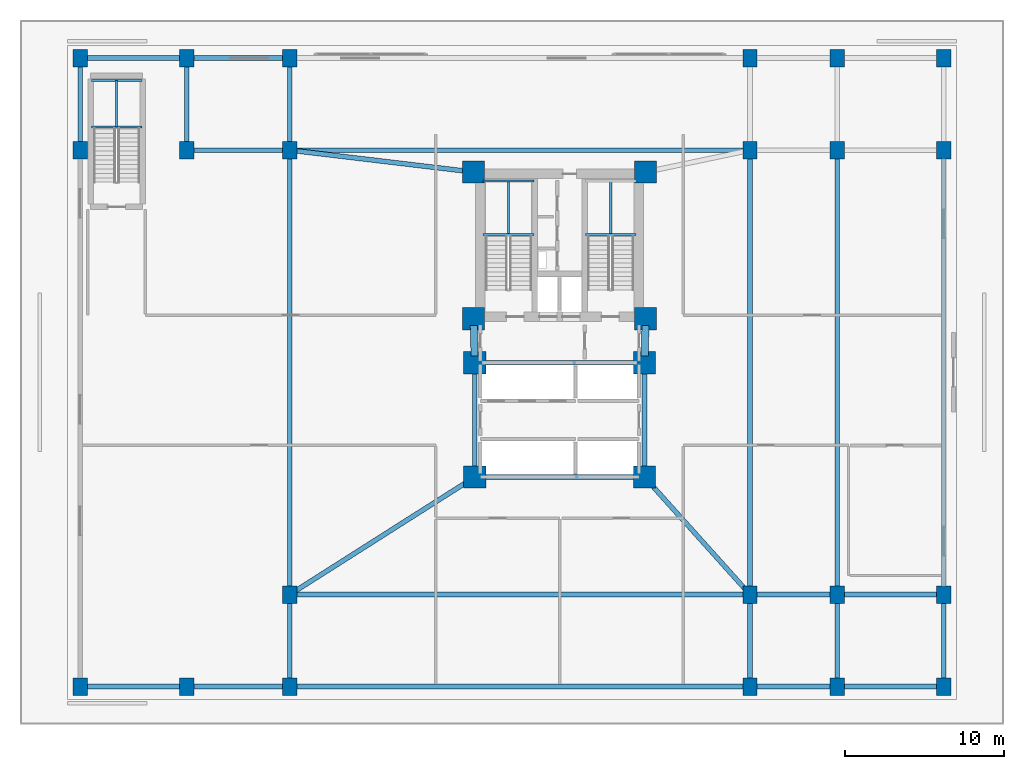
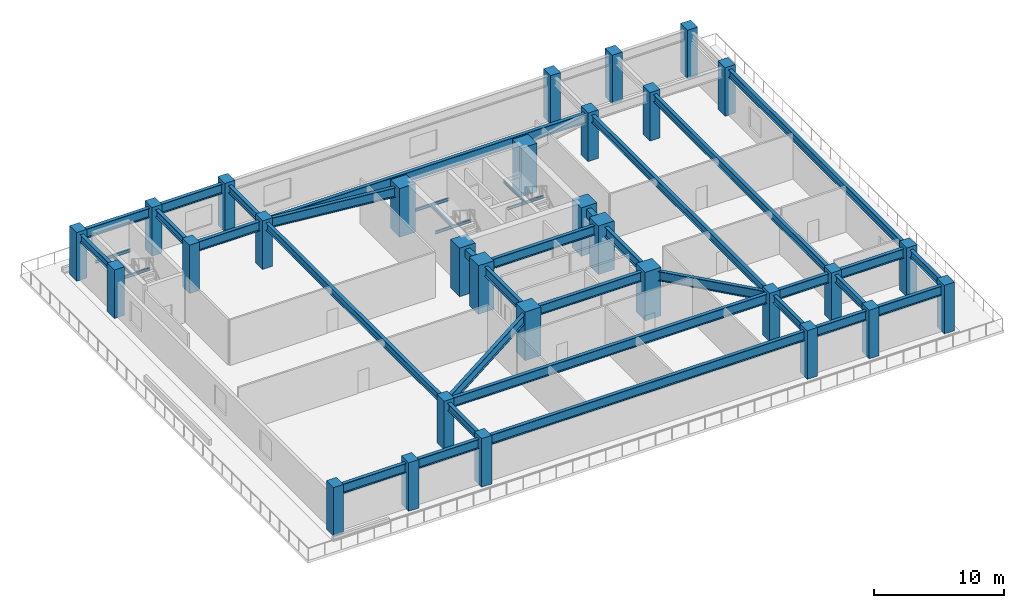
# One storey, part 1 of 9: 40 beams, 30 columns.
"""IFC4 building model written with IfcOpenShell, lengths in metres."""

from ifc_helpers import new_model, si_unit, direction, frame, origin, origin_2d, place, context, subcontext, project, spatial, rectangle, i_section, extrude, material, material_profile, profile_set, type_object, element, save


model = new_model("IFC4")

# Units and contexts
model_context = context("Model", 3, precision=1e-05, world=origin(), true_north=direction((0.0, 1.0)))
body_context = subcontext(model_context, "Body", "Model", "MODEL_VIEW")
ifc_project = project(units=[si_unit("LENGTHUNIT", "METRE"), si_unit("AREAUNIT", "SQUARE_METRE"), si_unit("VOLUMEUNIT", "CUBIC_METRE"), si_unit("PLANEANGLEUNIT", "RADIAN"), si_unit("MASSUNIT", "GRAM", prefix="KILO")], contexts=[model_context])

# Site, building, storey
site_placement = place(None, origin())
site = spatial("IfcSite", under=ifc_project, at=site_placement, CompositionType="ELEMENT")
building_placement = place(site_placement, origin())
building = spatial("IfcBuilding", under=site, at=building_placement, Name="Varnakorn Sky Granary", CompositionType="ELEMENT")
storey_placement = place(building_placement, frame((0.0, 0.0, 18.39990234375)))
storey = spatial("IfcBuildingStorey", under=building, at=storey_placement, Name="L04", CompositionType="ELEMENT", Elevation=18.39990234375)

# Columns
ifc_material_1 = material(Name="Concrete C60/75", Category="concrete")
ifc_material_profile_1 = material_profile(ifc_material_1, rectangle(XDim=1.39990234375, YDim=1.39990234375, at=origin_2d()), Name="RC 1400x1400")
ifc_profile_set_1 = profile_set([ifc_material_profile_1], Name="Concrete C60/75")
column_type_1 = type_object("IfcColumnType", Name="COL-MC-Z0", PredefinedType="COLUMN", material=ifc_profile_set_1)
for number, where, z_axis, x_axis, name in (
    (1, (-2.419921875, 12.6201171875, 0.0), (0.0, 0.0, 1.0), (1.0, 0.0, 0.0), "Backbone Mega-Column MC1 L04"),
    (2, (8.419921875, 12.6201171875, 0.0), (0.0, 0.0, 1.0), (1.0, 0.0, 0.0), "Backbone Mega-Column MC2 L04"),
    (3, (-2.419921875, 3.3798828125, 0.0), (0.0, 0.0, 1.0), (1.0, 0.0, 0.0), "Backbone Mega-Column MC3 L04"),
    (4, (8.419921875, 3.3798828125, 0.0), (0.0, 0.0, 1.0), (1.0, 0.0, 0.0), "Backbone Mega-Column MC4 L04"),
    (5, (-2.35009765625, 0.60009765625, 0.0), (0.0, 0.0, 1.0), (1.0, 0.0, 0.0), "Backbone Mega-Column MC5 L04"),
    (6, (8.35009765625, 0.60009765625, 0.0), (0.0, 0.0, 1.0), (1.0, 0.0, 0.0), "Backbone Mega-Column MC6 L04"),
    (7, (-2.35009765625, -6.60009765625, 0.0), (0.0, 0.0, 1.0), (1.0, 0.0, 0.0), "Backbone Mega-Column MC7 L04"),
    (8, (8.35009765625, -6.60009765625, 0.0), (0.0, 0.0, 1.0), (1.0, 0.0, 0.0), "Backbone Mega-Column MC8 L04"),
):
    element("IfcColumn", number, at=place(storey_placement, frame(where, z_axis=z_axis, x_axis=x_axis)), inside=storey, type_object=column_type_1, Name=name, PredefinedType="COLUMN", context=body_context, shape_type="SweptSolid", body=[
        extrude(rectangle(XDim=1.39990234375, YDim=1.39990234375, at=origin_2d()), origin(), (0.0, 0.0, 1.0), 4.5751953125),
    ])
ifc_material_profile_2 = material_profile(ifc_material_1, rectangle(XDim=0.89990234375, YDim=1.10009765625, at=origin_2d()), Name="RC 900x1100")
ifc_profile_set_2 = profile_set([ifc_material_profile_2], Name="Concrete C60/75")
column_type_2 = type_object("IfcColumnType", Name="COL-POD-1100", PredefinedType="COLUMN", material=ifc_profile_set_2)
for number, where, z_axis, x_axis, name in (
    (9, (-27.199951171875, -19.800048828125, 0.0), (0.0, 0.0, 1.0), (1.0, 0.0, 0.0), "Podium Column P11 L04"),
    (10, (-27.199951171875, 14.0, 0.0), (0.0, 0.0, 1.0), (1.0, 0.0, 0.0), "Podium Column P13 L04"),
    (11, (-27.199951171875, 19.800048828125, 0.0), (0.0, 0.0, 1.0), (1.0, 0.0, 0.0), "Podium Column P14 L04"),
    (12, (-20.5, -19.800048828125, 0.0), (0.0, 0.0, 1.0), (1.0, 0.0, 0.0), "Podium Column P21 L04"),
    (13, (-20.5, 14.0, 0.0), (0.0, 0.0, 1.0), (1.0, 0.0, 0.0), "Podium Column P23 L04"),
    (14, (-20.5, 19.800048828125, 0.0), (0.0, 0.0, 1.0), (1.0, 0.0, 0.0), "Podium Column P24 L04"),
    (15, (-14.0, -19.800048828125, 0.0), (0.0, 0.0, 1.0), (1.0, 0.0, 0.0), "Podium Column P31 L04"),
    (16, (-14.0, -14.0, 0.0), (0.0, 0.0, 1.0), (1.0, 0.0, 0.0), "Podium Column P32 L04"),
    (17, (-14.0, 14.0, 0.0), (0.0, 0.0, 1.0), (1.0, 0.0, 0.0), "Podium Column P33 L04"),
    (18, (-14.0, 19.800048828125, 0.0), (0.0, 0.0, 1.0), (1.0, 0.0, 0.0), "Podium Column P34 L04"),
    (19, (15.0, -19.800048828125, 0.0), (0.0, 0.0, 1.0), (1.0, 0.0, 0.0), "Podium Column P41 L04"),
    (20, (15.0, -14.0, 0.0), (0.0, 0.0, 1.0), (1.0, 0.0, 0.0), "Podium Column P42 L04"),
    (21, (15.0, 14.0, 0.0), (0.0, 0.0, 1.0), (1.0, 0.0, 0.0), "Podium Column P43 L04"),
    (22, (15.0, 19.800048828125, 0.0), (0.0, 0.0, 1.0), (1.0, 0.0, 0.0), "Podium Column P44 L04"),
    (23, (20.5, -19.800048828125, 0.0), (0.0, 0.0, 1.0), (1.0, 0.0, 0.0), "Podium Column P51 L04"),
    (24, (20.5, -14.0, 0.0), (0.0, 0.0, 1.0), (1.0, 0.0, 0.0), "Podium Column P52 L04"),
    (25, (20.5, 14.0, 0.0), (0.0, 0.0, 1.0), (1.0, 0.0, 0.0), "Podium Column P53 L04"),
    (26, (20.5, 19.800048828125, 0.0), (0.0, 0.0, 1.0), (1.0, 0.0, 0.0), "Podium Column P54 L04"),
    (27, (27.199951171875, -19.800048828125, 0.0), (0.0, 0.0, 1.0), (1.0, 0.0, 0.0), "Podium Column P61 L04"),
    (28, (27.199951171875, -14.0, 0.0), (0.0, 0.0, 1.0), (1.0, 0.0, 0.0), "Podium Column P62 L04"),
    (29, (27.199951171875, 14.0, 0.0), (0.0, 0.0, 1.0), (1.0, 0.0, 0.0), "Podium Column P63 L04"),
    (30, (27.199951171875, 19.800048828125, 0.0), (0.0, 0.0, 1.0), (1.0, 0.0, 0.0), "Podium Column P64 L04"),
):
    element("IfcColumn", number, at=place(storey_placement, frame(where, z_axis=z_axis, x_axis=x_axis)), inside=storey, type_object=column_type_2, Name=name, PredefinedType="COLUMN", context=body_context, shape_type="SweptSolid", body=[
        extrude(rectangle(XDim=0.89990234375, YDim=1.10009765625, at=origin_2d()), origin(), (0.0, 0.0, 1.0), 4.5751953125),
    ])

# Beams
ifc_material_profile_3 = material_profile(ifc_material_1, rectangle(XDim=0.449951171875, YDim=0.75, at=origin_2d()), Name="RC 450x750")
ifc_profile_set_3 = profile_set([ifc_material_profile_3], Name="Concrete C60/75")
beam_type_1 = type_object("IfcBeamType", Name="BM-LIN-750", PredefinedType="LINTEL", material=ifc_profile_set_3)
for number, where, z_axis, x_axis, name in (
    (31, (-2.409423828125, 2.960205078125, 3.905029296875), (0.025158763514, -0.999683468213, 0.0), (0.999683468213, 0.025158763514, 0.0), "Core Spine Beam 1 L04"),
    (32, (8.409423828125, 2.960205078125, 3.905029296875), (-0.025158763514, -0.999683468213, 0.0), (0.999683468213, -0.025158763514, 0.0), "Core Spine Beam 2 L04"),
):
    element("IfcBeam", number, at=place(storey_placement, frame(where, z_axis=z_axis, x_axis=x_axis)), inside=storey, type_object=beam_type_1, Name=name, PredefinedType="LINTEL", context=body_context, shape_type="SweptSolid", body=[
        extrude(rectangle(XDim=0.449951171875, YDim=0.75, at=origin_2d()), origin(), (0.0, 0.0, 1.0), 1.94091796875),
    ])
ifc_material_2 = material(Name="Steel S355JR", Category="steel")
ifc_material_profile_4 = material_profile(ifc_material_2, i_section(OverallWidth=0.135009765625, OverallDepth=0.27001953125, WebThickness=0.006591796875, FlangeThickness=0.01025390625, at=origin_2d()), Name="IPE 270")
ifc_profile_set_4 = profile_set([ifc_material_profile_4], Name="Steel S355JR")
beam_type_2 = type_object("IfcBeamType", Name="BM-LND-270", PredefinedType="BEAM", material=ifc_profile_set_4)
for number, where, z_axis, x_axis, name in (
    (33, (-1.820068359375, 8.679931640625, 1.965087890625), (1.0, 0.0, 0.0), (0.0, 1.0, 0.0), "Stair ST-1 Landing Trimmer Beam A L04-1"),
    (34, (-1.820068359375, 12.06005859375, 1.965087890625), (1.0, 0.0, 0.0), (0.0, 1.0, 0.0), "Stair ST-1 Landing Trimmer Beam B L04-1"),
):
    element("IfcBeam", number, at=place(storey_placement, frame(where, z_axis=z_axis, x_axis=x_axis)), inside=storey, type_object=beam_type_2, Name=name, PredefinedType="BEAM", context=body_context, shape_type="SweptSolid", body=[
        extrude(i_section(OverallWidth=0.135009765625, OverallDepth=0.27001953125, WebThickness=0.006591796875, FlangeThickness=0.01025390625, at=origin_2d()), origin(), (0.0, 0.0, 1.0), 3.199951171875),
    ])
beam_1_placement = place(storey_placement, frame((-0.219970703125, 8.679931640625, 1.965087890625), z_axis=(0.0, 1.0, 0.0), x_axis=(-1.0, 0.0, 0.0)))
element("IfcBeam", 35, at=beam_1_placement, inside=storey, type_object=beam_type_2, Name="Stair ST-1 Landing Cross Beam C L04-1", PredefinedType="BEAM", context=body_context, shape_type="SweptSolid", body=[
    extrude(i_section(OverallWidth=0.135009765625, OverallDepth=0.27001953125, WebThickness=0.006591796875, FlangeThickness=0.01025390625, at=origin_2d()), origin(), (0.0, 0.0, 1.0), 3.380126953125),
])
beam_2_placement = place(storey_placement, frame((4.6201171875, 8.679931640625, 1.965087890625), z_axis=(1.0, 0.0, 0.0), x_axis=(0.0, 1.0, 0.0)))
element("IfcBeam", 36, at=beam_2_placement, inside=storey, type_object=beam_type_2, Name="Stair ST-2 Landing Trimmer Beam A L04-1", PredefinedType="BEAM", context=body_context, shape_type="SweptSolid", body=[
    extrude(i_section(OverallWidth=0.135009765625, OverallDepth=0.27001953125, WebThickness=0.006591796875, FlangeThickness=0.01025390625, at=origin_2d()), origin(), (0.0, 0.0, 1.0), 3.199951171875),
])
beam_3_placement = place(storey_placement, frame((6.219970703125, 8.679931640625, 1.965087890625), z_axis=(0.0, 1.0, 0.0), x_axis=(-1.0, 0.0, 0.0)))
element("IfcBeam", 37, at=beam_3_placement, inside=storey, type_object=beam_type_2, Name="Stair ST-2 Landing Cross Beam C L04-1", PredefinedType="BEAM", context=body_context, shape_type="SweptSolid", body=[
    extrude(i_section(OverallWidth=0.135009765625, OverallDepth=0.27001953125, WebThickness=0.006591796875, FlangeThickness=0.01025390625, at=origin_2d()), origin(), (0.0, 0.0, 1.0), 3.380126953125),
])
for number, where, z_axis, x_axis, name in (
    (38, (-26.5, 15.4599609375, 1.965087890625), (1.0, 0.0, 0.0), (0.0, 1.0, 0.0), "Stair ST-B3 Landing Trimmer Beam A L04-1"),
    (39, (-26.5, 18.3798828125, 1.965087890625), (1.0, 0.0, 0.0), (0.0, 1.0, 0.0), "Stair ST-B3 Landing Trimmer Beam B L04-1"),
):
    element("IfcBeam", number, at=place(storey_placement, frame(where, z_axis=z_axis, x_axis=x_axis)), inside=storey, type_object=beam_type_2, Name=name, PredefinedType="BEAM", context=body_context, shape_type="SweptSolid", body=[
        extrude(i_section(OverallWidth=0.135009765625, OverallDepth=0.27001953125, WebThickness=0.006591796875, FlangeThickness=0.01025390625, at=origin_2d()), origin(), (0.0, 0.0, 1.0), 3.179931640625),
    ])
beam_4_placement = place(storey_placement, frame((-24.909912109375, 15.4599609375, 1.965087890625), z_axis=(0.0, 1.0, 0.0), x_axis=(-1.0, 0.0, 0.0)))
element("IfcBeam", 40, at=beam_4_placement, inside=storey, type_object=beam_type_2, Name="Stair ST-B3 Landing Cross Beam C L04-1", PredefinedType="BEAM", context=body_context, shape_type="SweptSolid", body=[
    extrude(i_section(OverallWidth=0.135009765625, OverallDepth=0.27001953125, WebThickness=0.006591796875, FlangeThickness=0.01025390625, at=origin_2d()), origin(), (0.0, 0.0, 1.0), 2.919921875),
])
ifc_material_profile_5 = material_profile(ifc_material_2, i_section(OverallWidth=0.300048828125, OverallDepth=0.699951171875, WebThickness=0.01708984375, FlangeThickness=0.031982421875, at=origin_2d()), Name="HE 700 B")
ifc_profile_set_5 = profile_set([ifc_material_profile_5], Name="Steel S355JR")
beam_type_3 = type_object("IfcBeamType", Name="BM-PG-700", PredefinedType="T_BEAM", material=ifc_profile_set_5)
for number, where, z_axis, x_axis, name in (
    (41, (-27.199951171875, 14.419921875, 3.93017578125), (0.0, 1.0, 0.0), (-1.0, 0.0, 0.0), "Podium Y-Girder GY18 L04"),
    (42, (-20.5, 14.419921875, 3.93017578125), (0.0, 1.0, 0.0), (-1.0, 0.0, 0.0), "Podium Y-Girder GY19 L04"),
    (43, (-14.0, -19.3798828125, 3.93017578125), (0.0, 1.0, 0.0), (-1.0, 0.0, 0.0), "Podium Y-Girder GY20 L04"),
):
    element("IfcBeam", number, at=place(storey_placement, frame(where, z_axis=z_axis, x_axis=x_axis)), inside=storey, type_object=beam_type_3, Name=name, PredefinedType="T_BEAM", context=body_context, shape_type="SweptSolid", body=[
        extrude(i_section(OverallWidth=0.300048828125, OverallDepth=0.699951171875, WebThickness=0.01708984375, FlangeThickness=0.031982421875, at=origin_2d()), origin(), (0.0, 0.0, 1.0), 4.9599609375),
    ])
beam_5_placement = place(storey_placement, frame((-14.0, -13.580078125, 3.93017578125), z_axis=(0.0, 1.0, 0.0), x_axis=(-1.0, 0.0, 0.0)))
element("IfcBeam", 44, at=beam_5_placement, inside=storey, type_object=beam_type_3, Name="Podium Y-Girder GY21 L04", PredefinedType="T_BEAM", context=body_context, shape_type="SweptSolid", body=[
    extrude(i_section(OverallWidth=0.300048828125, OverallDepth=0.699951171875, WebThickness=0.01708984375, FlangeThickness=0.031982421875, at=origin_2d()), origin(), (0.0, 0.0, 1.0), 27.16015625),
])
for number, where, z_axis, x_axis, name in (
    (45, (-14.0, 14.419921875, 3.93017578125), (0.0, 1.0, 0.0), (-1.0, 0.0, 0.0), "Podium Y-Girder GY22 L04"),
    (46, (15.0, -19.3798828125, 3.93017578125), (0.0, 1.0, 0.0), (-1.0, 0.0, 0.0), "Podium Y-Girder GY23 L04"),
):
    element("IfcBeam", number, at=place(storey_placement, frame(where, z_axis=z_axis, x_axis=x_axis)), inside=storey, type_object=beam_type_3, Name=name, PredefinedType="T_BEAM", context=body_context, shape_type="SweptSolid", body=[
        extrude(i_section(OverallWidth=0.300048828125, OverallDepth=0.699951171875, WebThickness=0.01708984375, FlangeThickness=0.031982421875, at=origin_2d()), origin(), (0.0, 0.0, 1.0), 4.9599609375),
    ])
beam_6_placement = place(storey_placement, frame((15.0, -13.580078125, 3.93017578125), z_axis=(0.0, 1.0, 0.0), x_axis=(-1.0, 0.0, 0.0)))
element("IfcBeam", 47, at=beam_6_placement, inside=storey, type_object=beam_type_3, Name="Podium Y-Girder GY24 L04", PredefinedType="T_BEAM", context=body_context, shape_type="SweptSolid", body=[
    extrude(i_section(OverallWidth=0.300048828125, OverallDepth=0.699951171875, WebThickness=0.01708984375, FlangeThickness=0.031982421875, at=origin_2d()), origin(), (0.0, 0.0, 1.0), 27.16015625),
])
beam_7_placement = place(storey_placement, frame((20.5, -19.3798828125, 3.93017578125), z_axis=(0.0, 1.0, 0.0), x_axis=(-1.0, 0.0, 0.0)))
element("IfcBeam", 48, at=beam_7_placement, inside=storey, type_object=beam_type_3, Name="Podium Y-Girder GY26 L04", PredefinedType="T_BEAM", context=body_context, shape_type="SweptSolid", body=[
    extrude(i_section(OverallWidth=0.300048828125, OverallDepth=0.699951171875, WebThickness=0.01708984375, FlangeThickness=0.031982421875, at=origin_2d()), origin(), (0.0, 0.0, 1.0), 4.9599609375),
])
beam_8_placement = place(storey_placement, frame((20.5, -13.580078125, 3.93017578125), z_axis=(0.0, 1.0, 0.0), x_axis=(-1.0, 0.0, 0.0)))
element("IfcBeam", 49, at=beam_8_placement, inside=storey, type_object=beam_type_3, Name="Podium Y-Girder GY27 L04", PredefinedType="T_BEAM", context=body_context, shape_type="SweptSolid", body=[
    extrude(i_section(OverallWidth=0.300048828125, OverallDepth=0.699951171875, WebThickness=0.01708984375, FlangeThickness=0.031982421875, at=origin_2d()), origin(), (0.0, 0.0, 1.0), 27.16015625),
])
beam_9_placement = place(storey_placement, frame((27.199951171875, -19.3798828125, 3.93017578125), z_axis=(0.0, 1.0, 0.0), x_axis=(-1.0, 0.0, 0.0)))
element("IfcBeam", 50, at=beam_9_placement, inside=storey, type_object=beam_type_3, Name="Podium Y-Girder GY29 L04", PredefinedType="T_BEAM", context=body_context, shape_type="SweptSolid", body=[
    extrude(i_section(OverallWidth=0.300048828125, OverallDepth=0.699951171875, WebThickness=0.01708984375, FlangeThickness=0.031982421875, at=origin_2d()), origin(), (0.0, 0.0, 1.0), 4.9599609375),
])
beam_10_placement = place(storey_placement, frame((27.199951171875, -13.580078125, 3.93017578125), z_axis=(0.0, 1.0, 0.0), x_axis=(-1.0, 0.0, 0.0)))
element("IfcBeam", 51, at=beam_10_placement, inside=storey, type_object=beam_type_3, Name="Podium Y-Girder GY30 L04", PredefinedType="T_BEAM", context=body_context, shape_type="SweptSolid", body=[
    extrude(i_section(OverallWidth=0.300048828125, OverallDepth=0.699951171875, WebThickness=0.01708984375, FlangeThickness=0.031982421875, at=origin_2d()), origin(), (0.0, 0.0, 1.0), 27.16015625),
])
ifc_material_profile_6 = material_profile(ifc_material_2, i_section(OverallWidth=0.300048828125, OverallDepth=0.89990234375, WebThickness=0.0185546875, FlangeThickness=0.034912109375, at=origin_2d()), Name="HE 900 B")
ifc_profile_set_6 = profile_set([ifc_material_profile_6], Name="Steel S355JR")
beam_type_4 = type_object("IfcBeamType", Name="BM-PG-900", PredefinedType="BEAM", material=ifc_profile_set_6)
beam_11_placement = place(storey_placement, frame((-26.780029296875, -19.800048828125, 3.830078125), z_axis=(1.0, 0.0, 0.0), x_axis=(0.0, 1.0, 0.0)))
element("IfcBeam", 52, at=beam_11_placement, inside=storey, type_object=beam_type_4, Name="Podium X-Girder GX01 L04", PredefinedType="BEAM", context=body_context, shape_type="SweptSolid", body=[
    extrude(i_section(OverallWidth=0.300048828125, OverallDepth=0.89990234375, WebThickness=0.0185546875, FlangeThickness=0.034912109375, at=origin_2d()), origin(), (0.0, 0.0, 1.0), 5.860107421875),
])
beam_12_placement = place(storey_placement, frame((-20.080078125, -19.800048828125, 3.830078125), z_axis=(1.0, 0.0, 0.0), x_axis=(0.0, 1.0, 0.0)))
element("IfcBeam", 53, at=beam_12_placement, inside=storey, type_object=beam_type_4, Name="Podium X-Girder GX02 L04", PredefinedType="BEAM", context=body_context, shape_type="SweptSolid", body=[
    extrude(i_section(OverallWidth=0.300048828125, OverallDepth=0.89990234375, WebThickness=0.0185546875, FlangeThickness=0.034912109375, at=origin_2d()), origin(), (0.0, 0.0, 1.0), 5.66015625),
])
beam_13_placement = place(storey_placement, frame((-13.580078125, -19.800048828125, 3.830078125), z_axis=(1.0, 0.0, 0.0), x_axis=(0.0, 1.0, 0.0)))
element("IfcBeam", 54, at=beam_13_placement, inside=storey, type_object=beam_type_4, Name="Podium X-Girder GX03 L04", PredefinedType="BEAM", context=body_context, shape_type="SweptSolid", body=[
    extrude(i_section(OverallWidth=0.300048828125, OverallDepth=0.89990234375, WebThickness=0.0185546875, FlangeThickness=0.034912109375, at=origin_2d()), origin(), (0.0, 0.0, 1.0), 28.16015625),
])
beam_14_placement = place(storey_placement, frame((15.419921875, -19.800048828125, 3.830078125), z_axis=(1.0, 0.0, 0.0), x_axis=(0.0, 1.0, 0.0)))
element("IfcBeam", 55, at=beam_14_placement, inside=storey, type_object=beam_type_4, Name="Podium X-Girder GX04 L04", PredefinedType="BEAM", context=body_context, shape_type="SweptSolid", body=[
    extrude(i_section(OverallWidth=0.300048828125, OverallDepth=0.89990234375, WebThickness=0.0185546875, FlangeThickness=0.034912109375, at=origin_2d()), origin(), (0.0, 0.0, 1.0), 4.66015625),
])
beam_15_placement = place(storey_placement, frame((20.919921875, -19.800048828125, 3.830078125), z_axis=(1.0, 0.0, 0.0), x_axis=(0.0, 1.0, 0.0)))
element("IfcBeam", 56, at=beam_15_placement, inside=storey, type_object=beam_type_4, Name="Podium X-Girder GX05 L04", PredefinedType="BEAM", context=body_context, shape_type="SweptSolid", body=[
    extrude(i_section(OverallWidth=0.300048828125, OverallDepth=0.89990234375, WebThickness=0.0185546875, FlangeThickness=0.034912109375, at=origin_2d()), origin(), (0.0, 0.0, 1.0), 5.860107421875),
])
beam_16_placement = place(storey_placement, frame((-13.580078125, -14.0, 3.830078125), z_axis=(1.0, 0.0, 0.0), x_axis=(0.0, 1.0, 0.0)))
element("IfcBeam", 57, at=beam_16_placement, inside=storey, type_object=beam_type_4, Name="Podium X-Girder GX06 L04", PredefinedType="BEAM", context=body_context, shape_type="SweptSolid", body=[
    extrude(i_section(OverallWidth=0.300048828125, OverallDepth=0.89990234375, WebThickness=0.0185546875, FlangeThickness=0.034912109375, at=origin_2d()), origin(), (0.0, 0.0, 1.0), 28.16015625),
])
beam_17_placement = place(storey_placement, frame((15.419921875, -14.0, 3.830078125), z_axis=(1.0, 0.0, 0.0), x_axis=(0.0, 1.0, 0.0)))
element("IfcBeam", 58, at=beam_17_placement, inside=storey, type_object=beam_type_4, Name="Podium X-Girder GX07 L04", PredefinedType="BEAM", context=body_context, shape_type="SweptSolid", body=[
    extrude(i_section(OverallWidth=0.300048828125, OverallDepth=0.89990234375, WebThickness=0.0185546875, FlangeThickness=0.034912109375, at=origin_2d()), origin(), (0.0, 0.0, 1.0), 4.66015625),
])
beam_18_placement = place(storey_placement, frame((20.919921875, -14.0, 3.830078125), z_axis=(1.0, 0.0, 0.0), x_axis=(0.0, 1.0, 0.0)))
element("IfcBeam", 59, at=beam_18_placement, inside=storey, type_object=beam_type_4, Name="Podium X-Girder GX08 L04", PredefinedType="BEAM", context=body_context, shape_type="SweptSolid", body=[
    extrude(i_section(OverallWidth=0.300048828125, OverallDepth=0.89990234375, WebThickness=0.0185546875, FlangeThickness=0.034912109375, at=origin_2d()), origin(), (0.0, 0.0, 1.0), 5.860107421875),
])
beam_19_placement = place(storey_placement, frame((-20.080078125, 14.0, 3.830078125), z_axis=(1.0, 0.0, 0.0), x_axis=(0.0, 1.0, 0.0)))
element("IfcBeam", 60, at=beam_19_placement, inside=storey, type_object=beam_type_4, Name="Podium X-Girder GX09 L04", PredefinedType="BEAM", context=body_context, shape_type="SweptSolid", body=[
    extrude(i_section(OverallWidth=0.300048828125, OverallDepth=0.89990234375, WebThickness=0.0185546875, FlangeThickness=0.034912109375, at=origin_2d()), origin(), (0.0, 0.0, 1.0), 5.66015625),
])
beam_20_placement = place(storey_placement, frame((-13.580078125, 14.0, 3.830078125), z_axis=(1.0, 0.0, 0.0), x_axis=(0.0, 1.0, 0.0)))
element("IfcBeam", 61, at=beam_20_placement, inside=storey, type_object=beam_type_4, Name="Podium X-Girder GX10 L04", PredefinedType="BEAM", context=body_context, shape_type="SweptSolid", body=[
    extrude(i_section(OverallWidth=0.300048828125, OverallDepth=0.89990234375, WebThickness=0.0185546875, FlangeThickness=0.034912109375, at=origin_2d()), origin(), (0.0, 0.0, 1.0), 28.16015625),
])
beam_21_placement = place(storey_placement, frame((-26.780029296875, 19.800048828125, 3.830078125), z_axis=(1.0, 0.0, 0.0), x_axis=(0.0, 1.0, 0.0)))
element("IfcBeam", 62, at=beam_21_placement, inside=storey, type_object=beam_type_4, Name="Podium X-Girder GX13 L04", PredefinedType="BEAM", context=body_context, shape_type="SweptSolid", body=[
    extrude(i_section(OverallWidth=0.300048828125, OverallDepth=0.89990234375, WebThickness=0.0185546875, FlangeThickness=0.034912109375, at=origin_2d()), origin(), (0.0, 0.0, 1.0), 5.860107421875),
])
beam_22_placement = place(storey_placement, frame((-20.080078125, 19.800048828125, 3.830078125), z_axis=(1.0, 0.0, 0.0), x_axis=(0.0, 1.0, 0.0)))
element("IfcBeam", 63, at=beam_22_placement, inside=storey, type_object=beam_type_4, Name="Podium X-Girder GX14 L04", PredefinedType="BEAM", context=body_context, shape_type="SweptSolid", body=[
    extrude(i_section(OverallWidth=0.300048828125, OverallDepth=0.89990234375, WebThickness=0.0185546875, FlangeThickness=0.034912109375, at=origin_2d()), origin(), (0.0, 0.0, 1.0), 5.66015625),
])
beam_23_placement = place(storey_placement, frame((-13.5830078125, 13.9501953125, 3.830078125), z_axis=(0.992975027395, -0.118324109839, 0.0), x_axis=(0.118324109839, 0.992975027395, 0.0)))
element("IfcBeam", 64, at=beam_23_placement, inside=storey, type_object=beam_type_4, Name="Podium Core Tie Girder 1 L04", PredefinedType="BEAM", context=body_context, shape_type="SweptSolid", body=[
    extrude(i_section(OverallWidth=0.300048828125, OverallDepth=0.89990234375, WebThickness=0.0185546875, FlangeThickness=0.034912109375, at=origin_2d()), origin(), (0.0, 0.0, 1.0), 10.822021484375),
])
beam_24_placement = place(storey_placement, frame((-13.6455078125, -13.77490234375, 3.830078125), z_axis=(0.844104836764, 0.536178164933, 0.0), x_axis=(-0.536178164933, 0.844104836764, 0.0)))
element("IfcBeam", 65, at=beam_24_placement, inside=storey, type_object=beam_type_4, Name="Podium Core Tie Girder 2 L04", PredefinedType="BEAM", context=body_context, shape_type="SweptSolid", body=[
    extrude(i_section(OverallWidth=0.300048828125, OverallDepth=0.89990234375, WebThickness=0.0185546875, FlangeThickness=0.034912109375, at=origin_2d()), origin(), (0.0, 0.0, 1.0), 12.961669921875),
])
beam_25_placement = place(storey_placement, frame((14.71923828125, -13.6875, 3.830078125), z_axis=(-0.668418142949, 0.743785712538, 0.0), x_axis=(-0.743785712538, -0.668418142949, 0.0)))
element("IfcBeam", 66, at=beam_25_placement, inside=storey, type_object=beam_type_4, Name="Podium Core Tie Girder 4 L04", PredefinedType="BEAM", context=body_context, shape_type="SweptSolid", body=[
    extrude(i_section(OverallWidth=0.300048828125, OverallDepth=0.89990234375, WebThickness=0.0185546875, FlangeThickness=0.034912109375, at=origin_2d()), origin(), (0.0, 0.0, 1.0), 9.10888671875),
])
for number, where, z_axis, x_axis, name in (
    (67, (-2.35009765625, 0.179931640625, 3.830078125), (0.0, -1.0, 0.0), (1.0, 0.0, 0.0), "Core Spine Beam 3 L04"),
    (68, (8.35009765625, 0.179931640625, 3.830078125), (0.0, -1.0, 0.0), (1.0, 0.0, 0.0), "Core Spine Beam 4 L04"),
):
    element("IfcBeam", number, at=place(storey_placement, frame(where, z_axis=z_axis, x_axis=x_axis)), inside=storey, type_object=beam_type_4, Name=name, PredefinedType="BEAM", context=body_context, shape_type="SweptSolid", body=[
        extrude(i_section(OverallWidth=0.300048828125, OverallDepth=0.89990234375, WebThickness=0.0185546875, FlangeThickness=0.034912109375, at=origin_2d()), origin(), (0.0, 0.0, 1.0), 6.35986328125),
    ])
for number, where, z_axis, x_axis, name in (
    (69, (-1.929931640625, 0.60009765625, 3.830078125), (1.0, 0.0, 0.0), (0.0, 1.0, 0.0), "Core Spine Beam 5 L04"),
    (70, (-1.929931640625, -6.60009765625, 3.830078125), (1.0, 0.0, 0.0), (0.0, 1.0, 0.0), "Core Spine Beam 6 L04"),
):
    element("IfcBeam", number, at=place(storey_placement, frame(where, z_axis=z_axis, x_axis=x_axis)), inside=storey, type_object=beam_type_4, Name=name, PredefinedType="BEAM", context=body_context, shape_type="SweptSolid", body=[
        extrude(i_section(OverallWidth=0.300048828125, OverallDepth=0.89990234375, WebThickness=0.0185546875, FlangeThickness=0.034912109375, at=origin_2d()), origin(), (0.0, 0.0, 1.0), 9.85986328125),
    ])

save(model, "model.ifc")
